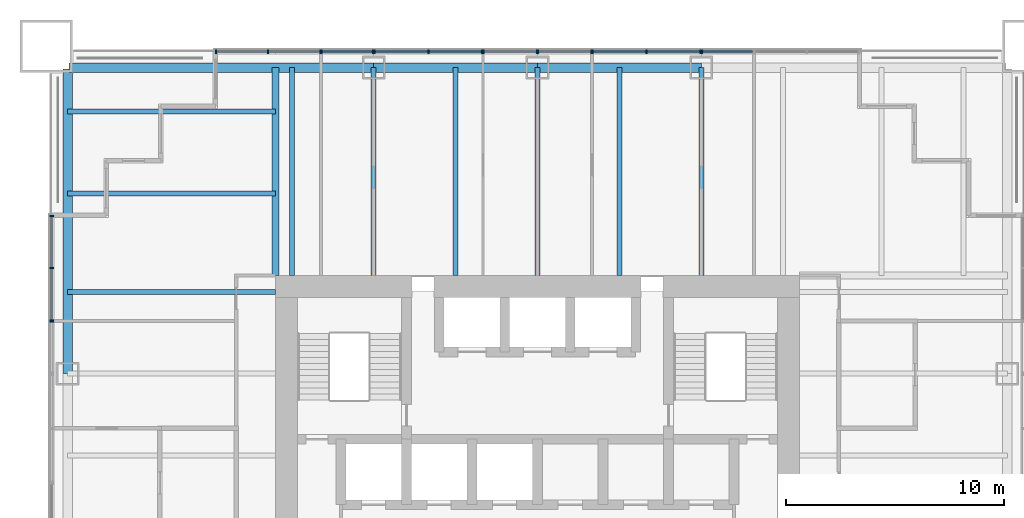
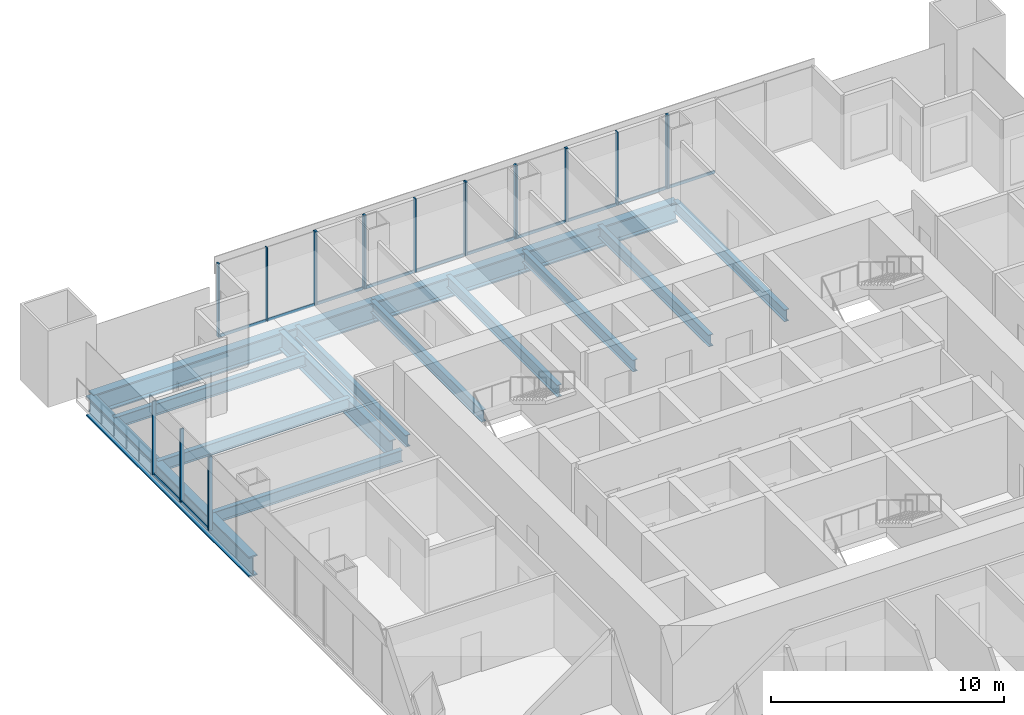
# One storey, part 5 of 13: 32 members, 14 beams, 9 elements without a shape of their own.
"""IFC4 building model written with IfcOpenShell, lengths in metres."""

from ifc_helpers import new_model, si_unit, direction, frame, origin, origin_2d, place, context, subcontext, project, spatial, rectangle, i_section, extrude, material, material_profile, profile_set, type_object, element, aggregate, save


model = new_model("IFC4")

# Units and contexts
model_context = context("Model", 3, precision=1e-05, world=origin(), true_north=direction((0.0, 1.0)))
body_context = subcontext(model_context, "Body", "Model", "MODEL_VIEW")
ifc_project = project(units=[si_unit("LENGTHUNIT", "METRE"), si_unit("AREAUNIT", "SQUARE_METRE"), si_unit("VOLUMEUNIT", "CUBIC_METRE"), si_unit("PLANEANGLEUNIT", "RADIAN"), si_unit("MASSUNIT", "GRAM", prefix="KILO")], contexts=[model_context])

# Site, building, storey
site_placement = place(None, origin())
site = spatial("IfcSite", under=ifc_project, at=site_placement, CompositionType="ELEMENT")
building_placement = place(site_placement, origin())
building = spatial("IfcBuilding", under=site, at=building_placement, Name="Tarangal Relay Tower", CompositionType="ELEMENT")
storey_placement = place(building_placement, frame((0.0, 0.0, 189.89990234375)))
storey = spatial("IfcBuildingStorey", under=building, at=storey_placement, Name="L39", CompositionType="ELEMENT", Elevation=189.89990234375)

# Beams
ifc_material_1 = material(Name="Steel ASTM A992", Category="steel")
ifc_material_profile_1 = material_profile(ifc_material_1, i_section(OverallWidth=0.227783203125, OverallDepth=0.60205078125, WebThickness=0.010498046875, FlangeThickness=0.014892578125, at=origin_2d()), Name="W24X68")
ifc_profile_set_1 = profile_set([ifc_material_profile_1], Name="Steel ASTM A992")
beam_type_1 = type_object("IfcBeamType", Name="Corner beam W24X68", PredefinedType="JOIST", material=ifc_profile_set_1)
for number, where, z_axis, x_axis, name in (
    (1, (-12.0, 15.75, -0.450927734375), (-1.0, 0.0, 0.0), (0.0, -1.0, 0.0), "Corner beam CB11 W L39"),
    (2, (-12.0, 19.5, -0.450927734375), (-1.0, 0.0, 0.0), (0.0, -1.0, 0.0), "Corner beam CB11 W L39"),
):
    element("IfcBeam", number, at=place(storey_placement, frame(where, z_axis=z_axis, x_axis=x_axis)), inside=storey, type_object=beam_type_1, Name=name, PredefinedType="JOIST", context=body_context, shape_type="SweptSolid", body=[
        extrude(i_section(OverallWidth=0.227783203125, OverallDepth=0.60205078125, WebThickness=0.010498046875, FlangeThickness=0.014892578125, at=origin_2d()), origin(), (0.0, 0.0, 1.0), 9.514892578125),
    ])
ifc_material_profile_2 = material_profile(ifc_material_1, i_section(OverallWidth=0.307373046875, OverallDepth=0.9423828125, WebThickness=0.022216796875, FlangeThickness=0.039794921875, at=origin_2d()), Name="W36X232")
ifc_profile_set_2 = profile_set([ifc_material_profile_2], Name="Steel ASTM A992")
beam_type_2 = type_object("IfcBeamType", Name="Corner girder W36X232", PredefinedType="BEAM", material=ifc_profile_set_2)
beam_1_placement = place(storey_placement, frame((-12.0, 12.0, -0.62109375), z_axis=(0.0, 1.0, 0.0), x_axis=(-1.0, 0.0, 0.0)))
element("IfcBeam", 3, at=beam_1_placement, inside=storey, type_object=beam_type_2, Name="Corner girder CG4 W L39", PredefinedType="BEAM", context=body_context, shape_type="SweptSolid", body=[
    extrude(i_section(OverallWidth=0.307373046875, OverallDepth=0.9423828125, WebThickness=0.022216796875, FlangeThickness=0.039794921875, at=origin_2d()), origin(), (0.0, 0.0, 1.0), 9.514892578125),
])
ifc_material_profile_3 = material_profile(ifc_material_1, i_section(OverallWidth=0.41650390625, OverallDepth=1.0693359375, WebThickness=0.0390625, FlangeThickness=0.070068359375, at=origin_2d()), Name="W40X503")
ifc_profile_set_3 = profile_set([ifc_material_profile_3], Name="Steel ASTM A992")
beam_type_3 = type_object("IfcBeamType", Name="Edge girder W40X503", PredefinedType="SPANDREL", material=ifc_profile_set_3)
beam_2_placement = place(storey_placement, frame((-21.449951171875, 21.514892578125, -0.6845703125), z_axis=(1.0, 0.0, 0.0), x_axis=(0.0, 1.0, 0.0)))
element("IfcBeam", 4, at=beam_2_placement, inside=storey, type_object=beam_type_3, Name="Edge girder EG8 N L39", PredefinedType="SPANDREL", context=body_context, shape_type="SweptSolid", body=[
    extrude(i_section(OverallWidth=0.41650390625, OverallDepth=1.0693359375, WebThickness=0.0390625, FlangeThickness=0.070068359375, at=origin_2d()), origin(), (0.0, 0.0, 1.0), 13.949951171875),
])
for number, where, z_axis, x_axis, name in (
    (5, (-7.5, 21.514892578125, -0.6845703125), (1.0, 0.0, 0.0), (0.0, 1.0, 0.0), "Edge girder EG8 N L39"),
    (6, (0.0, 21.514892578125, -0.6845703125), (1.0, 0.0, 0.0), (0.0, 1.0, 0.0), "Edge girder EG8 N L39"),
):
    element("IfcBeam", number, at=place(storey_placement, frame(where, z_axis=z_axis, x_axis=x_axis)), inside=storey, type_object=beam_type_3, Name=name, PredefinedType="SPANDREL", context=body_context, shape_type="SweptSolid", body=[
        extrude(i_section(OverallWidth=0.41650390625, OverallDepth=1.0693359375, WebThickness=0.0390625, FlangeThickness=0.070068359375, at=origin_2d()), origin(), (0.0, 0.0, 1.0), 7.5),
    ])
beam_3_placement = place(storey_placement, frame((-21.514892578125, 7.5, -0.6845703125), z_axis=(0.0, 1.0, 0.0), x_axis=(-1.0, 0.0, 0.0)))
element("IfcBeam", 7, at=beam_3_placement, inside=storey, type_object=beam_type_3, Name="Edge girder EG8 W L39", PredefinedType="SPANDREL", context=body_context, shape_type="SweptSolid", body=[
    extrude(i_section(OverallWidth=0.41650390625, OverallDepth=1.0693359375, WebThickness=0.0390625, FlangeThickness=0.070068359375, at=origin_2d()), origin(), (0.0, 0.0, 1.0), 13.949951171875),
])
ifc_material_profile_4 = material_profile(ifc_material_1, i_section(OverallWidth=0.22900390625, OverallDepth=0.612060546875, WebThickness=0.011962890625, FlangeThickness=0.01953125, at=origin_2d()), Name="W24X84")
ifc_profile_set_4 = profile_set([ifc_material_profile_4], Name="Steel ASTM A992")
beam_type_4 = type_object("IfcBeamType", Name="Floor beam W24X84", PredefinedType="BEAM", material=ifc_profile_set_4)
for number, where, z_axis, x_axis, name in (
    (8, (-11.25, 12.0, -0.455810546875), (0.0, 1.0, 0.0), (-1.0, 0.0, 0.0), "Floor beam RB12 N L39"),
    (9, (-7.5, 12.0, -0.455810546875), (0.0, 1.0, 0.0), (-1.0, 0.0, 0.0), "Floor beam RB12 N L39"),
    (10, (-3.75, 12.0, -0.455810546875), (0.0, 1.0, 0.0), (-1.0, 0.0, 0.0), "Floor beam RB12 N L39"),
    (11, (0.0, 12.0, -0.455810546875), (0.0, 1.0, 0.0), (-1.0, 0.0, 0.0), "Floor beam RB12 N L39"),
    (12, (3.75, 12.0, -0.455810546875), (0.0, 1.0, 0.0), (-1.0, 0.0, 0.0), "Floor beam RB12 N L39"),
    (13, (7.5, 12.0, -0.455810546875), (0.0, 1.0, 0.0), (-1.0, 0.0, 0.0), "Floor beam RB12 N L39"),
    (14, (-12.0, 11.25, -0.455810546875), (-1.0, 0.0, 0.0), (0.0, -1.0, 0.0), "Floor beam RB12 W L39"),
):
    element("IfcBeam", number, at=place(storey_placement, frame(where, z_axis=z_axis, x_axis=x_axis)), inside=storey, type_object=beam_type_4, Name=name, PredefinedType="BEAM", context=body_context, shape_type="SweptSolid", body=[
        extrude(i_section(OverallWidth=0.22900390625, OverallDepth=0.612060546875, WebThickness=0.011962890625, FlangeThickness=0.01953125, at=origin_2d()), origin(), (0.0, 0.0, 1.0), 9.514892578125),
    ])

# Curtain wall, members
ifc_material_2 = material(Name="Unitised curtain wall, dark glass and black aluminium", Category="aluminium")
curtain_wall_type_1 = type_object("IfcCurtainWallType", Name="Curtain wall CW-A", PredefinedType="USERDEFINED", material=ifc_material_2)
curtain_wall_1_placement = place(storey_placement, origin())
curtain_wall_1 = element("IfcCurtainWall", 15, at=curtain_wall_1_placement, inside=storey, type_object=curtain_wall_type_1, Name="Curtain wall CW-A N facade L39", ObjectType="UNITISED CURTAIN WALL", PredefinedType="USERDEFINED")
ifc_material_3 = material(Name="Black anodised aluminium mullion", Category="aluminium")
ifc_material_profile_5 = material_profile(ifc_material_3, rectangle(XDim=0.175048828125, YDim=0.06494140625, at=origin_2d()), Name="CW-AM 65X175")
ifc_profile_set_5 = profile_set([ifc_material_profile_5], Name="Black anodised aluminium mullion")
member_type_1 = type_object("IfcMemberType", Name="Mullion CW-A 65 x 175", PredefinedType="MULLION", material=ifc_profile_set_5)
member_1_placement = place(storey_placement, frame((-14.717529296875, 22.25, 0.0), z_axis=(0.0, 0.0, 1.0), x_axis=(0.0, 1.0, 0.0)))
member_1 = element("IfcMember", 16, at=member_1_placement, type_object=member_type_1, Name="CW-A mullion 1", PredefinedType="MULLION", context=body_context, shape_type="SweptSolid", body=[
    extrude(rectangle(XDim=0.175048828125, YDim=0.06494140625, at=origin_2d()), origin(), (0.0, 0.0, 1.0), 3.85009765625),
])
member_2_placement = place(storey_placement, frame((-12.333251953125, 22.25, 0.0), z_axis=(0.0, 0.0, 1.0), x_axis=(0.0, 1.0, 0.0)))
member_2 = element("IfcMember", 17, at=member_2_placement, type_object=member_type_1, Name="CW-A mullion 2", PredefinedType="MULLION", context=body_context, shape_type="SweptSolid", body=[
    extrude(rectangle(XDim=0.175048828125, YDim=0.06494140625, at=origin_2d()), origin(), (0.0, 0.0, 1.0), 3.85009765625),
])
member_3_placement = place(storey_placement, frame((-9.94921875, 22.25, 0.0), z_axis=(0.0, 0.0, 1.0), x_axis=(0.0, 1.0, 0.0)))
member_3 = element("IfcMember", 18, at=member_3_placement, type_object=member_type_1, Name="CW-A mullion 3", PredefinedType="MULLION", context=body_context, shape_type="SweptSolid", body=[
    extrude(rectangle(XDim=0.175048828125, YDim=0.06494140625, at=origin_2d()), origin(), (0.0, 0.0, 1.0), 3.85009765625),
])

curtain_wall_2_placement = place(storey_placement, origin())
curtain_wall_2 = element("IfcCurtainWall", 19, at=curtain_wall_2_placement, inside=storey, type_object=curtain_wall_type_1, Name="Curtain wall CW-A N facade L39", ObjectType="UNITISED CURTAIN WALL", PredefinedType="USERDEFINED")
member_4_placement = place(storey_placement, frame((-2.467529296875, 22.25, 0.0), z_axis=(0.0, 0.0, 1.0), x_axis=(0.0, 1.0, 0.0)))
member_4 = element("IfcMember", 20, at=member_4_placement, type_object=member_type_1, Name="CW-A mullion 1", PredefinedType="MULLION", context=body_context, shape_type="SweptSolid", body=[
    extrude(rectangle(XDim=0.175048828125, YDim=0.06494140625, at=origin_2d()), origin(), (0.0, 0.0, 1.0), 3.85009765625),
])
member_5_placement = place(storey_placement, frame((-0.032470703125, 22.25, 0.0), z_axis=(0.0, 0.0, 1.0), x_axis=(0.0, 1.0, 0.0)))
member_5 = element("IfcMember", 21, at=member_5_placement, type_object=member_type_1, Name="CW-A mullion 2", PredefinedType="MULLION", context=body_context, shape_type="SweptSolid", body=[
    extrude(rectangle(XDim=0.175048828125, YDim=0.06494140625, at=origin_2d()), origin(), (0.0, 0.0, 1.0), 3.85009765625),
])

curtain_wall_3_placement = place(storey_placement, origin())
curtain_wall_3 = element("IfcCurtainWall", 22, at=curtain_wall_3_placement, inside=storey, type_object=curtain_wall_type_1, Name="Curtain wall CW-A N facade L39", ObjectType="UNITISED CURTAIN WALL", PredefinedType="USERDEFINED")
member_6_placement = place(storey_placement, frame((0.032470703125, 22.25, 0.0), z_axis=(0.0, 0.0, 1.0), x_axis=(0.0, 1.0, 0.0)))
member_6 = element("IfcMember", 23, at=member_6_placement, type_object=member_type_1, Name="CW-A mullion 1", PredefinedType="MULLION", context=body_context, shape_type="SweptSolid", body=[
    extrude(rectangle(XDim=0.175048828125, YDim=0.06494140625, at=origin_2d()), origin(), (0.0, 0.0, 1.0), 3.85009765625),
])
member_7_placement = place(storey_placement, frame((2.467529296875, 22.25, 0.0), z_axis=(0.0, 0.0, 1.0), x_axis=(0.0, 1.0, 0.0)))
member_7 = element("IfcMember", 24, at=member_7_placement, type_object=member_type_1, Name="CW-A mullion 2", PredefinedType="MULLION", context=body_context, shape_type="SweptSolid", body=[
    extrude(rectangle(XDim=0.175048828125, YDim=0.06494140625, at=origin_2d()), origin(), (0.0, 0.0, 1.0), 3.85009765625),
])

curtain_wall_4_placement = place(storey_placement, origin())
curtain_wall_4 = element("IfcCurtainWall", 25, at=curtain_wall_4_placement, inside=storey, type_object=curtain_wall_type_1, Name="Curtain wall CW-A W facade L39", ObjectType="UNITISED CURTAIN WALL", PredefinedType="USERDEFINED")
member_8_placement = place(storey_placement, frame((-22.25, 9.94921875, 0.0), z_axis=(0.0, 0.0, 1.0), x_axis=(-1.0, 0.0, 0.0)))
member_8 = element("IfcMember", 26, at=member_8_placement, type_object=member_type_1, Name="CW-A mullion 1", PredefinedType="MULLION", context=body_context, shape_type="SweptSolid", body=[
    extrude(rectangle(XDim=0.175048828125, YDim=0.06494140625, at=origin_2d()), origin(), (0.0, 0.0, 1.0), 3.85009765625),
])
member_9_placement = place(storey_placement, frame((-22.25, 12.333251953125, 0.0), z_axis=(0.0, 0.0, 1.0), x_axis=(-1.0, 0.0, 0.0)))
member_9 = element("IfcMember", 27, at=member_9_placement, type_object=member_type_1, Name="CW-A mullion 2", PredefinedType="MULLION", context=body_context, shape_type="SweptSolid", body=[
    extrude(rectangle(XDim=0.175048828125, YDim=0.06494140625, at=origin_2d()), origin(), (0.0, 0.0, 1.0), 3.85009765625),
])
member_10_placement = place(storey_placement, frame((-22.25, 14.717529296875, 0.0), z_axis=(0.0, 0.0, 1.0), x_axis=(-1.0, 0.0, 0.0)))
member_10 = element("IfcMember", 28, at=member_10_placement, type_object=member_type_1, Name="CW-A mullion 3", PredefinedType="MULLION", context=body_context, shape_type="SweptSolid", body=[
    extrude(rectangle(XDim=0.175048828125, YDim=0.06494140625, at=origin_2d()), origin(), (0.0, 0.0, 1.0), 3.85009765625),
])

ifc_material_4 = material(Name="Unitised curtain wall frame, black aluminium, with metal clad infill walls", Category="aluminium")
curtain_wall_type_2 = type_object("IfcCurtainWallType", Name="Curtain wall CW-AO", PredefinedType="USERDEFINED", material=ifc_material_4)
curtain_wall_5_placement = place(storey_placement, origin())
curtain_wall_5 = element("IfcCurtainWall", 29, at=curtain_wall_5_placement, inside=storey, type_object=curtain_wall_type_2, Name="Curtain wall CW-AO N facade L39", ObjectType="UNITISED CURTAIN WALL", PredefinedType="USERDEFINED")
ifc_material_profile_6 = material_profile(ifc_material_3, rectangle(XDim=0.175048828125, YDim=0.06494140625, at=origin_2d()), Name="CW-AOM 65X175")
ifc_profile_set_6 = profile_set([ifc_material_profile_6], Name="Black anodised aluminium mullion")
member_type_2 = type_object("IfcMemberType", Name="Mullion CW-AO 65 x 175", PredefinedType="MULLION", material=ifc_profile_set_6)
member_11_placement = place(storey_placement, frame((-9.88427734375, 22.25, 0.0), z_axis=(0.0, 0.0, 1.0), x_axis=(0.0, 1.0, 0.0)))
member_11 = element("IfcMember", 30, at=member_11_placement, type_object=member_type_2, Name="CW-AO mullion 1", PredefinedType="MULLION", context=body_context, shape_type="SweptSolid", body=[
    extrude(rectangle(XDim=0.175048828125, YDim=0.06494140625, at=origin_2d()), origin(), (0.0, 0.0, 1.0), 3.85009765625),
])
member_12_placement = place(storey_placement, frame((-7.532470703125, 22.25, 0.0), z_axis=(0.0, 0.0, 1.0), x_axis=(0.0, 1.0, 0.0)))
member_12 = element("IfcMember", 31, at=member_12_placement, type_object=member_type_2, Name="CW-AO mullion 2", PredefinedType="MULLION", context=body_context, shape_type="SweptSolid", body=[
    extrude(rectangle(XDim=0.175048828125, YDim=0.06494140625, at=origin_2d()), origin(), (0.0, 0.0, 1.0), 3.85009765625),
])

curtain_wall_6_placement = place(storey_placement, origin())
curtain_wall_6 = element("IfcCurtainWall", 32, at=curtain_wall_6_placement, inside=storey, type_object=curtain_wall_type_2, Name="Curtain wall CW-AO N facade L39", ObjectType="UNITISED CURTAIN WALL", PredefinedType="USERDEFINED")
member_13_placement = place(storey_placement, frame((-7.467529296875, 22.25, 0.0), z_axis=(0.0, 0.0, 1.0), x_axis=(0.0, 1.0, 0.0)))
member_13 = element("IfcMember", 33, at=member_13_placement, type_object=member_type_2, Name="CW-AO mullion 1", PredefinedType="MULLION", context=body_context, shape_type="SweptSolid", body=[
    extrude(rectangle(XDim=0.175048828125, YDim=0.06494140625, at=origin_2d()), origin(), (0.0, 0.0, 1.0), 3.85009765625),
])
member_14_placement = place(storey_placement, frame((-5.0, 22.25, 0.0), z_axis=(0.0, 0.0, 1.0), x_axis=(0.0, 1.0, 0.0)))
member_14 = element("IfcMember", 34, at=member_14_placement, type_object=member_type_2, Name="CW-AO mullion 2", PredefinedType="MULLION", context=body_context, shape_type="SweptSolid", body=[
    extrude(rectangle(XDim=0.175048828125, YDim=0.06494140625, at=origin_2d()), origin(), (0.0, 0.0, 1.0), 3.85009765625),
])
member_15_placement = place(storey_placement, frame((-2.532470703125, 22.25, 0.0), z_axis=(0.0, 0.0, 1.0), x_axis=(0.0, 1.0, 0.0)))
member_15 = element("IfcMember", 35, at=member_15_placement, type_object=member_type_2, Name="CW-AO mullion 3", PredefinedType="MULLION", context=body_context, shape_type="SweptSolid", body=[
    extrude(rectangle(XDim=0.175048828125, YDim=0.06494140625, at=origin_2d()), origin(), (0.0, 0.0, 1.0), 3.85009765625),
])

curtain_wall_7_placement = place(storey_placement, origin())
curtain_wall_7 = element("IfcCurtainWall", 36, at=curtain_wall_7_placement, inside=storey, type_object=curtain_wall_type_2, Name="Curtain wall CW-AO N facade L39", ObjectType="UNITISED CURTAIN WALL", PredefinedType="USERDEFINED")
member_16_placement = place(storey_placement, frame((2.532470703125, 22.25, 0.0), z_axis=(0.0, 0.0, 1.0), x_axis=(0.0, 1.0, 0.0)))
member_16 = element("IfcMember", 37, at=member_16_placement, type_object=member_type_2, Name="CW-AO mullion 1", PredefinedType="MULLION", context=body_context, shape_type="SweptSolid", body=[
    extrude(rectangle(XDim=0.175048828125, YDim=0.06494140625, at=origin_2d()), origin(), (0.0, 0.0, 1.0), 3.85009765625),
])
member_17_placement = place(storey_placement, frame((5.0, 22.25, 0.0), z_axis=(0.0, 0.0, 1.0), x_axis=(0.0, 1.0, 0.0)))
member_17 = element("IfcMember", 38, at=member_17_placement, type_object=member_type_2, Name="CW-AO mullion 2", PredefinedType="MULLION", context=body_context, shape_type="SweptSolid", body=[
    extrude(rectangle(XDim=0.175048828125, YDim=0.06494140625, at=origin_2d()), origin(), (0.0, 0.0, 1.0), 3.85009765625),
])
member_18_placement = place(storey_placement, frame((7.467529296875, 22.25, 0.0), z_axis=(0.0, 0.0, 1.0), x_axis=(0.0, 1.0, 0.0)))
member_18 = element("IfcMember", 39, at=member_18_placement, type_object=member_type_2, Name="CW-AO mullion 3", PredefinedType="MULLION", context=body_context, shape_type="SweptSolid", body=[
    extrude(rectangle(XDim=0.175048828125, YDim=0.06494140625, at=origin_2d()), origin(), (0.0, 0.0, 1.0), 3.85009765625),
])

# Curtain wall, member
curtain_wall_8_placement = place(storey_placement, origin())
curtain_wall_8 = element("IfcCurtainWall", 40, at=curtain_wall_8_placement, inside=storey, type_object=curtain_wall_type_2, Name="Curtain wall CW-AO N facade L39", ObjectType="UNITISED CURTAIN WALL", PredefinedType="USERDEFINED")
member_19_placement = place(storey_placement, frame((7.532470703125, 22.25, 0.0), z_axis=(0.0, 0.0, 1.0), x_axis=(0.0, 1.0, 0.0)))
member_19 = element("IfcMember", 41, at=member_19_placement, type_object=member_type_2, Name="CW-AO mullion 1", PredefinedType="MULLION", context=body_context, shape_type="SweptSolid", body=[
    extrude(rectangle(XDim=0.175048828125, YDim=0.06494140625, at=origin_2d()), origin(), (0.0, 0.0, 1.0), 3.85009765625),
])

curtain_wall_9_placement = place(storey_placement, origin())
curtain_wall_9 = element("IfcCurtainWall", 42, at=curtain_wall_9_placement, inside=storey, type_object=curtain_wall_type_2, Name="Curtain wall CW-AO W facade L39", ObjectType="UNITISED CURTAIN WALL", PredefinedType="USERDEFINED")
member_20_placement = place(storey_placement, frame((-22.25, 9.88427734375, 0.0), z_axis=(0.0, 0.0, 1.0), x_axis=(-1.0, 0.0, 0.0)))
member_20 = element("IfcMember", 43, at=member_20_placement, type_object=member_type_2, Name="CW-AO mullion 2", PredefinedType="MULLION", context=body_context, shape_type="SweptSolid", body=[
    extrude(rectangle(XDim=0.175048828125, YDim=0.06494140625, at=origin_2d()), origin(), (0.0, 0.0, 1.0), 3.85009765625),
])
aggregate(curtain_wall_9, [member_20])

# Member
ifc_material_5 = material(Name="Black anodised aluminium transom", Category="aluminium")
ifc_material_profile_7 = material_profile(ifc_material_5, rectangle(XDim=0.06494140625, YDim=0.14990234375, at=origin_2d()), Name="CW-AT 65X150")
ifc_profile_set_7 = profile_set([ifc_material_profile_7], Name="Black anodised aluminium transom")
member_type_3 = type_object("IfcMemberType", Name="Transom CW-A 65 x 150", PredefinedType="USERDEFINED", material=ifc_profile_set_7)
member_21_placement = place(storey_placement, frame((-14.68505859375, 22.25, 0.03271484375), z_axis=(1.0, 0.0, 0.0), x_axis=(0.0, 1.0, 0.0)))
member_21 = element("IfcMember", 44, at=member_21_placement, type_object=member_type_3, Name="CW-A transom 1.1", ObjectType="TRANSOM", PredefinedType="USERDEFINED", context=body_context, shape_type="SweptSolid", body=[
    extrude(rectangle(XDim=0.06494140625, YDim=0.14990234375, at=origin_2d()), origin(), (0.0, 0.0, 1.0), 2.319091796875),
])

member_22_placement = place(storey_placement, frame((-12.30078125, 22.25, 0.03271484375), z_axis=(1.0, 0.0, 0.0), x_axis=(0.0, 1.0, 0.0)))
member_22 = element("IfcMember", 45, at=member_22_placement, type_object=member_type_3, Name="CW-A transom 2.1", ObjectType="TRANSOM", PredefinedType="USERDEFINED", context=body_context, shape_type="SweptSolid", body=[
    extrude(rectangle(XDim=0.06494140625, YDim=0.14990234375, at=origin_2d()), origin(), (0.0, 0.0, 1.0), 2.319091796875),
])

aggregate(curtain_wall_1, [member_1, member_2, member_3, member_21, member_22])

member_23_placement = place(storey_placement, frame((-2.43505859375, 22.25, 0.03271484375), z_axis=(1.0, 0.0, 0.0), x_axis=(0.0, 1.0, 0.0)))
member_23 = element("IfcMember", 46, at=member_23_placement, type_object=member_type_3, Name="CW-A transom 1.1", ObjectType="TRANSOM", PredefinedType="USERDEFINED", context=body_context, shape_type="SweptSolid", body=[
    extrude(rectangle(XDim=0.06494140625, YDim=0.14990234375, at=origin_2d()), origin(), (0.0, 0.0, 1.0), 2.3701171875),
])

aggregate(curtain_wall_2, [member_4, member_5, member_23])

member_24_placement = place(storey_placement, frame((0.06494140625, 22.25, 0.03271484375), z_axis=(1.0, 0.0, 0.0), x_axis=(0.0, 1.0, 0.0)))
member_24 = element("IfcMember", 47, at=member_24_placement, type_object=member_type_3, Name="CW-A transom 1.1", ObjectType="TRANSOM", PredefinedType="USERDEFINED", context=body_context, shape_type="SweptSolid", body=[
    extrude(rectangle(XDim=0.06494140625, YDim=0.14990234375, at=origin_2d()), origin(), (0.0, 0.0, 1.0), 2.3701171875),
])

aggregate(curtain_wall_3, [member_6, member_7, member_24])

member_25_placement = place(storey_placement, frame((-22.25, 9.981689453125, 0.03271484375), z_axis=(0.0, 1.0, 0.0), x_axis=(-1.0, 0.0, 0.0)))
member_25 = element("IfcMember", 48, at=member_25_placement, type_object=member_type_3, Name="CW-A transom 1.1", ObjectType="TRANSOM", PredefinedType="USERDEFINED", context=body_context, shape_type="SweptSolid", body=[
    extrude(rectangle(XDim=0.06494140625, YDim=0.14990234375, at=origin_2d()), origin(), (0.0, 0.0, 1.0), 2.319091796875),
])

member_26_placement = place(storey_placement, frame((-22.25, 12.365966796875, 0.03271484375), z_axis=(0.0, 1.0, 0.0), x_axis=(-1.0, 0.0, 0.0)))
member_26 = element("IfcMember", 49, at=member_26_placement, type_object=member_type_3, Name="CW-A transom 2.1", ObjectType="TRANSOM", PredefinedType="USERDEFINED", context=body_context, shape_type="SweptSolid", body=[
    extrude(rectangle(XDim=0.06494140625, YDim=0.14990234375, at=origin_2d()), origin(), (0.0, 0.0, 1.0), 2.319091796875),
])

aggregate(curtain_wall_4, [member_8, member_9, member_10, member_25, member_26])

ifc_material_profile_8 = material_profile(ifc_material_5, rectangle(XDim=0.06494140625, YDim=0.14990234375, at=origin_2d()), Name="CW-AOT 65X150")
ifc_profile_set_8 = profile_set([ifc_material_profile_8], Name="Black anodised aluminium transom")
member_type_4 = type_object("IfcMemberType", Name="Transom CW-AO 65 x 150", PredefinedType="USERDEFINED", material=ifc_profile_set_8)
member_27_placement = place(storey_placement, frame((-9.851806640625, 22.25, 0.03271484375), z_axis=(1.0, 0.0, 0.0), x_axis=(0.0, 1.0, 0.0)))
member_27 = element("IfcMember", 50, at=member_27_placement, type_object=member_type_4, Name="CW-AO transom 1.1", ObjectType="TRANSOM", PredefinedType="USERDEFINED", context=body_context, shape_type="SweptSolid", body=[
    extrude(rectangle(XDim=0.06494140625, YDim=0.14990234375, at=origin_2d()), origin(), (0.0, 0.0, 1.0), 2.286865234375),
])

aggregate(curtain_wall_5, [member_11, member_12, member_27])

member_28_placement = place(storey_placement, frame((-7.43505859375, 22.25, 0.03271484375), z_axis=(1.0, 0.0, 0.0), x_axis=(0.0, 1.0, 0.0)))
member_28 = element("IfcMember", 51, at=member_28_placement, type_object=member_type_4, Name="CW-AO transom 1.1", ObjectType="TRANSOM", PredefinedType="USERDEFINED", context=body_context, shape_type="SweptSolid", body=[
    extrude(rectangle(XDim=0.06494140625, YDim=0.14990234375, at=origin_2d()), origin(), (0.0, 0.0, 1.0), 2.402587890625),
])

member_29_placement = place(storey_placement, frame((-4.967529296875, 22.25, 0.03271484375), z_axis=(1.0, 0.0, 0.0), x_axis=(0.0, 1.0, 0.0)))
member_29 = element("IfcMember", 52, at=member_29_placement, type_object=member_type_4, Name="CW-AO transom 2.1", ObjectType="TRANSOM", PredefinedType="USERDEFINED", context=body_context, shape_type="SweptSolid", body=[
    extrude(rectangle(XDim=0.06494140625, YDim=0.14990234375, at=origin_2d()), origin(), (0.0, 0.0, 1.0), 2.402587890625),
])

aggregate(curtain_wall_6, [member_13, member_14, member_15, member_28, member_29])

member_30_placement = place(storey_placement, frame((2.56494140625, 22.25, 0.03271484375), z_axis=(1.0, 0.0, 0.0), x_axis=(0.0, 1.0, 0.0)))
member_30 = element("IfcMember", 53, at=member_30_placement, type_object=member_type_4, Name="CW-AO transom 1.1", ObjectType="TRANSOM", PredefinedType="USERDEFINED", context=body_context, shape_type="SweptSolid", body=[
    extrude(rectangle(XDim=0.06494140625, YDim=0.14990234375, at=origin_2d()), origin(), (0.0, 0.0, 1.0), 2.402587890625),
])

member_31_placement = place(storey_placement, frame((5.032470703125, 22.25, 0.03271484375), z_axis=(1.0, 0.0, 0.0), x_axis=(0.0, 1.0, 0.0)))
member_31 = element("IfcMember", 54, at=member_31_placement, type_object=member_type_4, Name="CW-AO transom 2.1", ObjectType="TRANSOM", PredefinedType="USERDEFINED", context=body_context, shape_type="SweptSolid", body=[
    extrude(rectangle(XDim=0.06494140625, YDim=0.14990234375, at=origin_2d()), origin(), (0.0, 0.0, 1.0), 2.402587890625),
])

aggregate(curtain_wall_7, [member_16, member_17, member_18, member_30, member_31])

member_32_placement = place(storey_placement, frame((7.56494140625, 22.25, 0.03271484375), z_axis=(1.0, 0.0, 0.0), x_axis=(0.0, 1.0, 0.0)))
member_32 = element("IfcMember", 55, at=member_32_placement, type_object=member_type_4, Name="CW-AO transom 1.1", ObjectType="TRANSOM", PredefinedType="USERDEFINED", context=body_context, shape_type="SweptSolid", body=[
    extrude(rectangle(XDim=0.06494140625, YDim=0.14990234375, at=origin_2d()), origin(), (0.0, 0.0, 1.0), 2.286865234375),
])

aggregate(curtain_wall_8, [member_19, member_32])

save(model, "model.ifc")
